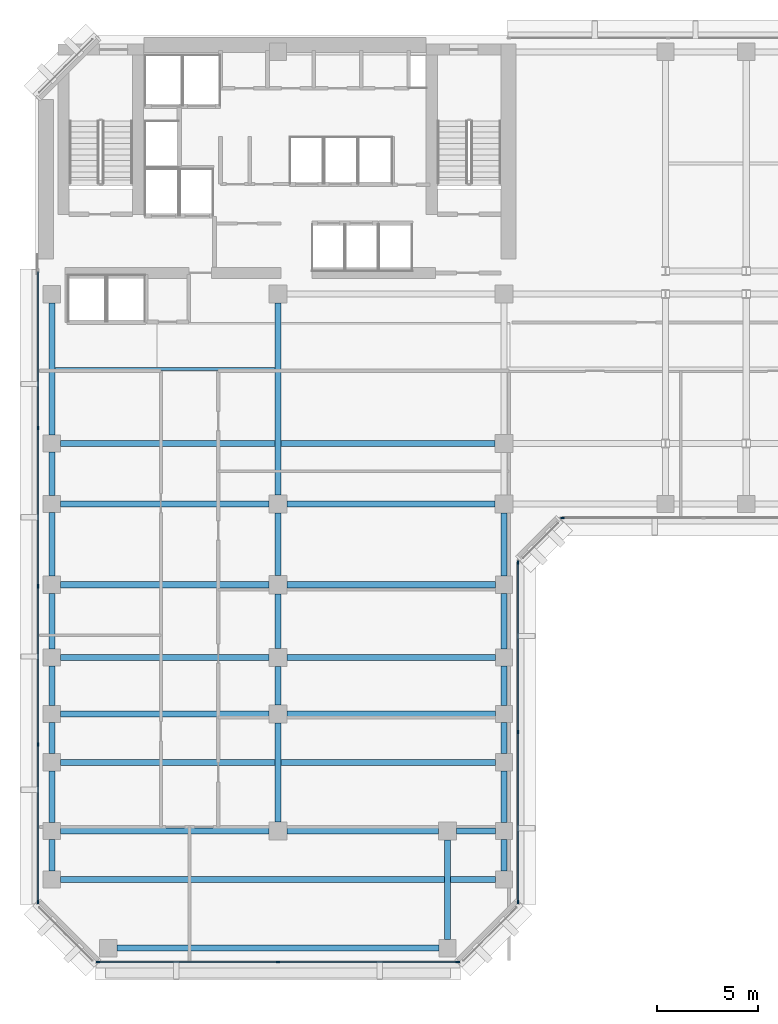
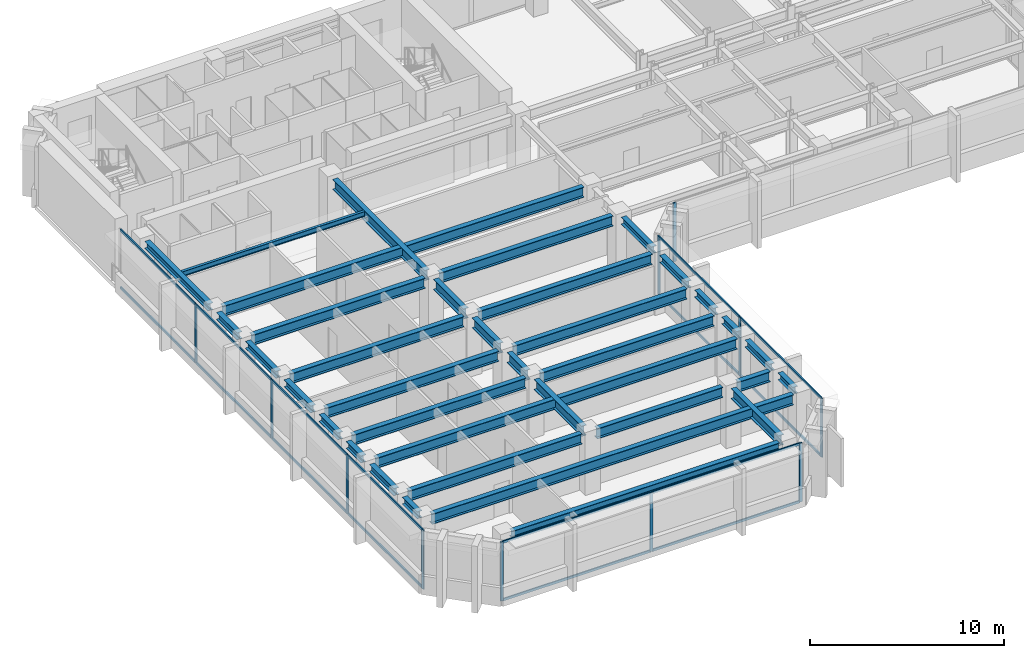
# One storey, part 2 of 11: 36 beams, 27 members, 4 elements without a shape of their own.
"""IFC4 building model written with IfcOpenShell, lengths in metres."""

from ifc_helpers import new_model, si_unit, direction, frame, origin, origin_2d, place, context, subcontext, project, spatial, rectangle, i_section, extrude, material, layer, layer_set, material_profile, profile_set, type_object, element, aggregate, save


model = new_model("IFC4")

# Units and contexts
model_context = context("Model", 3, precision=1e-05, world=origin(), true_north=direction((0.0, 1.0)))
body_context = subcontext(model_context, "Body", "Model", "MODEL_VIEW")
ifc_project = project(units=[si_unit("LENGTHUNIT", "METRE"), si_unit("AREAUNIT", "SQUARE_METRE"), si_unit("VOLUMEUNIT", "CUBIC_METRE"), si_unit("PLANEANGLEUNIT", "RADIAN"), si_unit("MASSUNIT", "GRAM", prefix="KILO")], contexts=[model_context])

# Site, building, storey
site_placement = place(None, origin())
site = spatial("IfcSite", under=ifc_project, at=site_placement, CompositionType="ELEMENT")
building_placement = place(site_placement, origin())
building = spatial("IfcBuilding", under=site, at=building_placement, Name="Kefirva Bronze Tower", CompositionType="ELEMENT")
storey_placement = place(building_placement, frame((0.0, 0.0, 142.889892578125)))
storey = spatial("IfcBuildingStorey", under=building, at=storey_placement, Name="L34", CompositionType="ELEMENT", Elevation=142.889892578125)

# Curtain wall, members
ifc_material_1 = material(Name="Bronze anodised aluminium", Category="aluminium")
ifc_layer = layer(ifc_material_1, 0.199951171875, Name="Bronze anodised aluminium")
ifc_layer_set = layer_set([ifc_layer], Name="Bronze anodised aluminium")
curtain_wall_type = type_object("IfcCurtainWallType", Name="Unitised Bronze Ribbon Curtain Wall Zone 2", PredefinedType="USERDEFINED", material=ifc_layer_set)
curtain_wall_1_placement = place(storey_placement, origin())
curtain_wall_1 = element("IfcCurtainWall", 1, at=curtain_wall_1_placement, inside=storey, type_object=curtain_wall_type, Name="L34 Curtain Wall 1", ObjectType="UNITISED CURTAIN WALL", PredefinedType="USERDEFINED")
ifc_material_profile_1 = material_profile(ifc_material_1, rectangle(XDim=0.074951171875, YDim=0.179931640625, at=origin_2d()), Name="ALU 75x180")
ifc_profile_set_1 = profile_set([ifc_material_profile_1], Name="Bronze anodised aluminium")
member_type_1 = type_object("IfcMemberType", Name="Bronze Mullion 75x180", PredefinedType="MULLION", material=ifc_profile_set_1)
member_1_placement = place(storey_placement, frame((3.092529296875, 0.1201171875, 0.0), z_axis=(0.0, 0.0, 1.0), x_axis=(0.0, 1.0, 0.0)))
member_1 = element("IfcMember", 2, at=member_1_placement, type_object=member_type_1, Name="CW-02 mullion 1", PredefinedType="MULLION", context=body_context, shape_type="SweptSolid", body=[
    extrude(rectangle(XDim=0.074951171875, YDim=0.179931640625, at=origin_2d()), origin(), (0.0, 0.0, 1.0), 3.710205078125),
])
member_2_placement = place(storey_placement, frame((12.0, 0.1201171875, 0.0), z_axis=(0.0, 0.0, 1.0), x_axis=(0.0, 1.0, 0.0)))
member_2 = element("IfcMember", 3, at=member_2_placement, type_object=member_type_1, Name="CW-02 mullion 2", PredefinedType="MULLION", context=body_context, shape_type="SweptSolid", body=[
    extrude(rectangle(XDim=0.074951171875, YDim=0.179931640625, at=origin_2d()), origin(), (0.0, 0.0, 1.0), 3.710205078125),
])
member_3_placement = place(storey_placement, frame((20.907470703125, 0.1201171875, 0.0), z_axis=(0.0, 0.0, 1.0), x_axis=(0.0, 1.0, 0.0)))
member_3 = element("IfcMember", 4, at=member_3_placement, type_object=member_type_1, Name="CW-02 mullion 3", PredefinedType="MULLION", context=body_context, shape_type="SweptSolid", body=[
    extrude(rectangle(XDim=0.074951171875, YDim=0.179931640625, at=origin_2d()), origin(), (0.0, 0.0, 1.0), 3.710205078125),
])

curtain_wall_2_placement = place(storey_placement, origin())
curtain_wall_2 = element("IfcCurtainWall", 5, at=curtain_wall_2_placement, inside=storey, type_object=curtain_wall_type, Name="L34 Curtain Wall 2", ObjectType="UNITISED CURTAIN WALL", PredefinedType="USERDEFINED")
member_4_placement = place(storey_placement, frame((23.8798828125, 3.092529296875, 0.0), z_axis=(0.0, 0.0, 1.0), x_axis=(-1.0, 0.0, 0.0)))
member_4 = element("IfcMember", 6, at=member_4_placement, type_object=member_type_1, Name="CW-02 mullion 1", PredefinedType="MULLION", context=body_context, shape_type="SweptSolid", body=[
    extrude(rectangle(XDim=0.074951171875, YDim=0.179931640625, at=origin_2d()), origin(), (0.0, 0.0, 1.0), 3.710205078125),
])
member_5_placement = place(storey_placement, frame((23.8798828125, 11.5, 0.0), z_axis=(0.0, 0.0, 1.0), x_axis=(-1.0, 0.0, 0.0)))
member_5 = element("IfcMember", 7, at=member_5_placement, type_object=member_type_1, Name="CW-02 mullion 2", PredefinedType="MULLION", context=body_context, shape_type="SweptSolid", body=[
    extrude(rectangle(XDim=0.074951171875, YDim=0.179931640625, at=origin_2d()), origin(), (0.0, 0.0, 1.0), 3.710205078125),
])
member_6_placement = place(storey_placement, frame((23.8798828125, 19.907470703125, 0.0), z_axis=(0.0, 0.0, 1.0), x_axis=(-1.0, 0.0, 0.0)))
member_6 = element("IfcMember", 8, at=member_6_placement, type_object=member_type_1, Name="CW-02 mullion 3", PredefinedType="MULLION", context=body_context, shape_type="SweptSolid", body=[
    extrude(rectangle(XDim=0.074951171875, YDim=0.179931640625, at=origin_2d()), origin(), (0.0, 0.0, 1.0), 3.710205078125),
])

# Curtain wall, member
curtain_wall_3_placement = place(storey_placement, origin())
curtain_wall_3 = element("IfcCurtainWall", 9, at=curtain_wall_3_placement, inside=storey, type_object=curtain_wall_type, Name="L34 Curtain Wall 3", ObjectType="UNITISED CURTAIN WALL", PredefinedType="USERDEFINED")
member_7_placement = place(storey_placement, frame((26.092529296875, 22.1201171875, 0.0), z_axis=(0.0, 0.0, 1.0), x_axis=(0.0, 1.0, 0.0)))
member_7 = element("IfcMember", 10, at=member_7_placement, type_object=member_type_1, Name="CW-02 mullion 1", PredefinedType="MULLION", context=body_context, shape_type="SweptSolid", body=[
    extrude(rectangle(XDim=0.074951171875, YDim=0.179931640625, at=origin_2d()), origin(), (0.0, 0.0, 1.0), 3.710205078125),
])
aggregate(curtain_wall_3, [member_7])

# Curtain wall, members
curtain_wall_4_placement = place(storey_placement, origin())
curtain_wall_4 = element("IfcCurtainWall", 11, at=curtain_wall_4_placement, inside=storey, type_object=curtain_wall_type, Name="L34 Curtain Wall 6", ObjectType="UNITISED CURTAIN WALL", PredefinedType="USERDEFINED")
member_8_placement = place(storey_placement, frame((0.1201171875, 26.56005859375, 0.0), z_axis=(0.0, 0.0, 1.0), x_axis=(1.0, 0.0, 0.0)))
member_8 = element("IfcMember", 12, at=member_8_placement, type_object=member_type_1, Name="CW-02 mullion 2", PredefinedType="MULLION", context=body_context, shape_type="SweptSolid", body=[
    extrude(rectangle(XDim=0.074951171875, YDim=0.179931640625, at=origin_2d()), origin(), (0.0, 0.0, 1.0), 3.710205078125),
])
member_9_placement = place(storey_placement, frame((0.1201171875, 18.72509765625, 0.0), z_axis=(0.0, 0.0, 1.0), x_axis=(1.0, 0.0, 0.0)))
member_9 = element("IfcMember", 13, at=member_9_placement, type_object=member_type_1, Name="CW-02 mullion 3", PredefinedType="MULLION", context=body_context, shape_type="SweptSolid", body=[
    extrude(rectangle(XDim=0.074951171875, YDim=0.179931640625, at=origin_2d()), origin(), (0.0, 0.0, 1.0), 3.710205078125),
])
member_10_placement = place(storey_placement, frame((0.1201171875, 10.889892578125, 0.0), z_axis=(0.0, 0.0, 1.0), x_axis=(1.0, 0.0, 0.0)))
member_10 = element("IfcMember", 14, at=member_10_placement, type_object=member_type_1, Name="CW-02 mullion 4", PredefinedType="MULLION", context=body_context, shape_type="SweptSolid", body=[
    extrude(rectangle(XDim=0.074951171875, YDim=0.179931640625, at=origin_2d()), origin(), (0.0, 0.0, 1.0), 3.710205078125),
])
member_11_placement = place(storey_placement, frame((0.1201171875, 3.092529296875, 0.0), z_axis=(0.0, 0.0, 1.0), x_axis=(1.0, 0.0, 0.0)))
member_11 = element("IfcMember", 15, at=member_11_placement, type_object=member_type_1, Name="CW-02 mullion 5", PredefinedType="MULLION", context=body_context, shape_type="SweptSolid", body=[
    extrude(rectangle(XDim=0.074951171875, YDim=0.179931640625, at=origin_2d()), origin(), (0.0, 0.0, 1.0), 3.710205078125),
])

# Member
ifc_material_profile_2 = material_profile(ifc_material_1, rectangle(XDim=0.074951171875, YDim=0.14990234375, at=origin_2d()), Name="ALU 75x150")
ifc_profile_set_2 = profile_set([ifc_material_profile_2], Name="Bronze anodised aluminium")
member_type_2 = type_object("IfcMemberType", Name="Bronze Transom 75x150", PredefinedType="USERDEFINED", material=ifc_profile_set_2)
member_12_placement = place(storey_placement, frame((3.1298828125, 0.1201171875, 0.03759765625), z_axis=(1.0, 0.0, 0.0), x_axis=(0.0, 1.0, 0.0)))
member_12 = element("IfcMember", 16, at=member_12_placement, type_object=member_type_2, Name="CW-02 transom 1.1", ObjectType="TRANSOM", PredefinedType="USERDEFINED", context=body_context, shape_type="SweptSolid", body=[
    extrude(rectangle(XDim=0.074951171875, YDim=0.14990234375, at=origin_2d()), origin(), (0.0, 0.0, 1.0), 8.83251953125),
])

member_13_placement = place(storey_placement, frame((3.1298828125, 0.1201171875, 3.672607421875), z_axis=(1.0, 0.0, 0.0), x_axis=(0.0, 1.0, 0.0)))
member_13 = element("IfcMember", 17, at=member_13_placement, type_object=member_type_2, Name="CW-02 transom 1.2", ObjectType="TRANSOM", PredefinedType="USERDEFINED", context=body_context, shape_type="SweptSolid", body=[
    extrude(rectangle(XDim=0.074951171875, YDim=0.14990234375, at=origin_2d()), origin(), (0.0, 0.0, 1.0), 8.83251953125),
])

member_14_placement = place(storey_placement, frame((12.03759765625, 0.1201171875, 0.03759765625), z_axis=(1.0, 0.0, 0.0), x_axis=(0.0, 1.0, 0.0)))
member_14 = element("IfcMember", 18, at=member_14_placement, type_object=member_type_2, Name="CW-02 transom 2.1", ObjectType="TRANSOM", PredefinedType="USERDEFINED", context=body_context, shape_type="SweptSolid", body=[
    extrude(rectangle(XDim=0.074951171875, YDim=0.14990234375, at=origin_2d()), origin(), (0.0, 0.0, 1.0), 8.83251953125),
])

member_15_placement = place(storey_placement, frame((12.03759765625, 0.1201171875, 3.672607421875), z_axis=(1.0, 0.0, 0.0), x_axis=(0.0, 1.0, 0.0)))
member_15 = element("IfcMember", 19, at=member_15_placement, type_object=member_type_2, Name="CW-02 transom 2.2", ObjectType="TRANSOM", PredefinedType="USERDEFINED", context=body_context, shape_type="SweptSolid", body=[
    extrude(rectangle(XDim=0.074951171875, YDim=0.14990234375, at=origin_2d()), origin(), (0.0, 0.0, 1.0), 8.83251953125),
])

aggregate(curtain_wall_1, [member_1, member_2, member_3, member_12, member_13, member_14, member_15])

member_16_placement = place(storey_placement, frame((23.8798828125, 3.1298828125, 0.03759765625), z_axis=(0.0, 1.0, 0.0), x_axis=(-1.0, 0.0, 0.0)))
member_16 = element("IfcMember", 20, at=member_16_placement, type_object=member_type_2, Name="CW-02 transom 1.1", ObjectType="TRANSOM", PredefinedType="USERDEFINED", context=body_context, shape_type="SweptSolid", body=[
    extrude(rectangle(XDim=0.074951171875, YDim=0.14990234375, at=origin_2d()), origin(), (0.0, 0.0, 1.0), 8.33251953125),
])

member_17_placement = place(storey_placement, frame((23.8798828125, 3.1298828125, 3.672607421875), z_axis=(0.0, 1.0, 0.0), x_axis=(-1.0, 0.0, 0.0)))
member_17 = element("IfcMember", 21, at=member_17_placement, type_object=member_type_2, Name="CW-02 transom 1.2", ObjectType="TRANSOM", PredefinedType="USERDEFINED", context=body_context, shape_type="SweptSolid", body=[
    extrude(rectangle(XDim=0.074951171875, YDim=0.14990234375, at=origin_2d()), origin(), (0.0, 0.0, 1.0), 8.33251953125),
])

member_18_placement = place(storey_placement, frame((23.8798828125, 11.53759765625, 0.03759765625), z_axis=(0.0, 1.0, 0.0), x_axis=(-1.0, 0.0, 0.0)))
member_18 = element("IfcMember", 22, at=member_18_placement, type_object=member_type_2, Name="CW-02 transom 2.1", ObjectType="TRANSOM", PredefinedType="USERDEFINED", context=body_context, shape_type="SweptSolid", body=[
    extrude(rectangle(XDim=0.074951171875, YDim=0.14990234375, at=origin_2d()), origin(), (0.0, 0.0, 1.0), 8.33251953125),
])

member_19_placement = place(storey_placement, frame((23.8798828125, 11.53759765625, 3.672607421875), z_axis=(0.0, 1.0, 0.0), x_axis=(-1.0, 0.0, 0.0)))
member_19 = element("IfcMember", 23, at=member_19_placement, type_object=member_type_2, Name="CW-02 transom 2.2", ObjectType="TRANSOM", PredefinedType="USERDEFINED", context=body_context, shape_type="SweptSolid", body=[
    extrude(rectangle(XDim=0.074951171875, YDim=0.14990234375, at=origin_2d()), origin(), (0.0, 0.0, 1.0), 8.33251953125),
])

aggregate(curtain_wall_2, [member_4, member_5, member_6, member_16, member_17, member_18, member_19])

member_20_placement = place(storey_placement, frame((0.1201171875, 34.320068359375, 0.03759765625), z_axis=(0.0, -1.0, 0.0), x_axis=(1.0, 0.0, 0.0)))
member_20 = element("IfcMember", 24, at=member_20_placement, type_object=member_type_2, Name="CW-02 transom 1.1", ObjectType="TRANSOM", PredefinedType="USERDEFINED", context=body_context, shape_type="SweptSolid", body=[
    extrude(rectangle(XDim=0.074951171875, YDim=0.14990234375, at=origin_2d()), origin(), (0.0, 0.0, 1.0), 7.72265625),
])

member_21_placement = place(storey_placement, frame((0.1201171875, 34.320068359375, 3.672607421875), z_axis=(0.0, -1.0, 0.0), x_axis=(1.0, 0.0, 0.0)))
member_21 = element("IfcMember", 25, at=member_21_placement, type_object=member_type_2, Name="CW-02 transom 1.2", ObjectType="TRANSOM", PredefinedType="USERDEFINED", context=body_context, shape_type="SweptSolid", body=[
    extrude(rectangle(XDim=0.074951171875, YDim=0.14990234375, at=origin_2d()), origin(), (0.0, 0.0, 1.0), 7.72265625),
])

member_22_placement = place(storey_placement, frame((0.1201171875, 26.5224609375, 0.03759765625), z_axis=(0.0, -1.0, 0.0), x_axis=(1.0, 0.0, 0.0)))
member_22 = element("IfcMember", 26, at=member_22_placement, type_object=member_type_2, Name="CW-02 transom 2.1", ObjectType="TRANSOM", PredefinedType="USERDEFINED", context=body_context, shape_type="SweptSolid", body=[
    extrude(rectangle(XDim=0.074951171875, YDim=0.14990234375, at=origin_2d()), origin(), (0.0, 0.0, 1.0), 7.760009765625),
])

member_23_placement = place(storey_placement, frame((0.1201171875, 26.5224609375, 3.672607421875), z_axis=(0.0, -1.0, 0.0), x_axis=(1.0, 0.0, 0.0)))
member_23 = element("IfcMember", 27, at=member_23_placement, type_object=member_type_2, Name="CW-02 transom 2.2", ObjectType="TRANSOM", PredefinedType="USERDEFINED", context=body_context, shape_type="SweptSolid", body=[
    extrude(rectangle(XDim=0.074951171875, YDim=0.14990234375, at=origin_2d()), origin(), (0.0, 0.0, 1.0), 7.760009765625),
])

member_24_placement = place(storey_placement, frame((0.1201171875, 18.6875, 0.03759765625), z_axis=(0.0, -1.0, 0.0), x_axis=(1.0, 0.0, 0.0)))
member_24 = element("IfcMember", 28, at=member_24_placement, type_object=member_type_2, Name="CW-02 transom 3.1", ObjectType="TRANSOM", PredefinedType="USERDEFINED", context=body_context, shape_type="SweptSolid", body=[
    extrude(rectangle(XDim=0.074951171875, YDim=0.14990234375, at=origin_2d()), origin(), (0.0, 0.0, 1.0), 7.760009765625),
])

member_25_placement = place(storey_placement, frame((0.1201171875, 18.6875, 3.672607421875), z_axis=(0.0, -1.0, 0.0), x_axis=(1.0, 0.0, 0.0)))
member_25 = element("IfcMember", 29, at=member_25_placement, type_object=member_type_2, Name="CW-02 transom 3.2", ObjectType="TRANSOM", PredefinedType="USERDEFINED", context=body_context, shape_type="SweptSolid", body=[
    extrude(rectangle(XDim=0.074951171875, YDim=0.14990234375, at=origin_2d()), origin(), (0.0, 0.0, 1.0), 7.760009765625),
])

member_26_placement = place(storey_placement, frame((0.1201171875, 10.8525390625, 0.03759765625), z_axis=(0.0, -1.0, 0.0), x_axis=(1.0, 0.0, 0.0)))
member_26 = element("IfcMember", 30, at=member_26_placement, type_object=member_type_2, Name="CW-02 transom 4.1", ObjectType="TRANSOM", PredefinedType="USERDEFINED", context=body_context, shape_type="SweptSolid", body=[
    extrude(rectangle(XDim=0.074951171875, YDim=0.14990234375, at=origin_2d()), origin(), (0.0, 0.0, 1.0), 7.72265625),
])

member_27_placement = place(storey_placement, frame((0.1201171875, 10.8525390625, 3.672607421875), z_axis=(0.0, -1.0, 0.0), x_axis=(1.0, 0.0, 0.0)))
member_27 = element("IfcMember", 31, at=member_27_placement, type_object=member_type_2, Name="CW-02 transom 4.2", ObjectType="TRANSOM", PredefinedType="USERDEFINED", context=body_context, shape_type="SweptSolid", body=[
    extrude(rectangle(XDim=0.074951171875, YDim=0.14990234375, at=origin_2d()), origin(), (0.0, 0.0, 1.0), 7.72265625),
])

aggregate(curtain_wall_4, [member_8, member_9, member_10, member_11, member_20, member_21, member_22, member_23, member_24, member_25, member_26, member_27])

# Beams
ifc_material_2 = material(Name="Steel S355", Category="steel")
ifc_material_profile_3 = material_profile(ifc_material_2, i_section(OverallWidth=0.159912109375, OverallDepth=0.330078125, WebThickness=0.007568359375, FlangeThickness=0.011474609375, at=origin_2d()), Name="IPE 330")
ifc_profile_set_3 = profile_set([ifc_material_profile_3], Name="Steel S355")
beam_type_1 = type_object("IfcBeamType", Name="Steel Floor Joist IPE 330", PredefinedType="JOIST", material=ifc_profile_set_3)
beam_1_placement = place(storey_placement, frame((0.949951171875, 29.489990234375, 3.545166015625), z_axis=(1.0, 0.0, 0.0), x_axis=(0.0, 1.0, 0.0)))
element("IfcBeam", 32, at=beam_1_placement, inside=storey, type_object=beam_type_1, Name="L34 JST-L34-0-294", PredefinedType="JOIST", context=body_context, shape_type="SweptSolid", body=[
    extrude(i_section(OverallWidth=0.159912109375, OverallDepth=0.330078125, WebThickness=0.007568359375, FlangeThickness=0.011474609375, at=origin_2d()), origin(), (0.0, 0.0, 1.0), 10.900146484375),
])
ifc_material_profile_4 = material_profile(ifc_material_2, i_section(OverallWidth=0.300048828125, OverallDepth=0.64990234375, WebThickness=0.01611328125, FlangeThickness=0.031005859375, at=origin_2d()), Name="HEB 650")
ifc_profile_set_4 = profile_set([ifc_material_profile_4], Name="Steel S355")
beam_type_2 = type_object("IfcBeamType", Name="Steel Girder HEB 650", PredefinedType="USERDEFINED", material=ifc_profile_set_4)
beam_2_placement = place(storey_placement, frame((1.22998046875, 4.199951171875, 3.385009765625), z_axis=(1.0, 0.0, 0.0), x_axis=(0.0, 1.0, 0.0)))
element("IfcBeam", 33, at=beam_2_placement, inside=storey, type_object=beam_type_2, Name="L34 BM-L34-EW-0-42", ObjectType="GIRDER", PredefinedType="USERDEFINED", context=body_context, shape_type="SweptSolid", body=[
    extrude(i_section(OverallWidth=0.300048828125, OverallDepth=0.64990234375, WebThickness=0.01611328125, FlangeThickness=0.031005859375, at=origin_2d()), origin(), (0.0, 0.0, 1.0), 21.5400390625),
])
beam_3_placement = place(storey_placement, frame((1.22998046875, 6.60009765625, 3.385009765625), z_axis=(1.0, 0.0, 0.0), x_axis=(0.0, 1.0, 0.0)))
element("IfcBeam", 34, at=beam_3_placement, inside=storey, type_object=beam_type_2, Name="L34 BM-L34-EW-0-66", ObjectType="GIRDER", PredefinedType="USERDEFINED", context=body_context, shape_type="SweptSolid", body=[
    extrude(i_section(OverallWidth=0.300048828125, OverallDepth=0.64990234375, WebThickness=0.01611328125, FlangeThickness=0.031005859375, at=origin_2d()), origin(), (0.0, 0.0, 1.0), 10.320068359375),
])
beam_4_placement = place(storey_placement, frame((12.449951171875, 6.60009765625, 3.385009765625), z_axis=(1.0, 0.0, 0.0), x_axis=(0.0, 1.0, 0.0)))
element("IfcBeam", 35, at=beam_4_placement, inside=storey, type_object=beam_type_2, Name="L34 BM-L34-EW-12-66", ObjectType="GIRDER", PredefinedType="USERDEFINED", context=body_context, shape_type="SweptSolid", body=[
    extrude(i_section(OverallWidth=0.300048828125, OverallDepth=0.64990234375, WebThickness=0.01611328125, FlangeThickness=0.031005859375, at=origin_2d()), origin(), (0.0, 0.0, 1.0), 7.5),
])
beam_5_placement = place(storey_placement, frame((20.85009765625, 6.60009765625, 3.385009765625), z_axis=(1.0, 0.0, 0.0), x_axis=(0.0, 1.0, 0.0)))
element("IfcBeam", 36, at=beam_5_placement, inside=storey, type_object=beam_type_2, Name="L34 BM-L34-EW-20-66", ObjectType="GIRDER", PredefinedType="USERDEFINED", context=body_context, shape_type="SweptSolid", body=[
    extrude(i_section(OverallWidth=0.300048828125, OverallDepth=0.64990234375, WebThickness=0.01611328125, FlangeThickness=0.031005859375, at=origin_2d()), origin(), (0.0, 0.0, 1.0), 1.919921875),
])
beam_6_placement = place(storey_placement, frame((1.22998046875, 10.0, 3.385009765625), z_axis=(1.0, 0.0, 0.0), x_axis=(0.0, 1.0, 0.0)))
element("IfcBeam", 37, at=beam_6_placement, inside=storey, type_object=beam_type_2, Name="L34 BM-L34-EW-0-100", ObjectType="GIRDER", PredefinedType="USERDEFINED", context=body_context, shape_type="SweptSolid", body=[
    extrude(i_section(OverallWidth=0.300048828125, OverallDepth=0.64990234375, WebThickness=0.01611328125, FlangeThickness=0.031005859375, at=origin_2d()), origin(), (0.0, 0.0, 1.0), 21.5400390625),
])
for number, where, z_axis, x_axis, name in (
    (38, (1.22998046875, 12.39990234375, 3.385009765625), (1.0, 0.0, 0.0), (0.0, 1.0, 0.0), "L34 BM-L34-EW-0-124"),
    (39, (12.449951171875, 12.39990234375, 3.385009765625), (1.0, 0.0, 0.0), (0.0, 1.0, 0.0), "L34 BM-L34-EW-12-124"),
    (40, (1.22998046875, 15.199951171875, 3.385009765625), (1.0, 0.0, 0.0), (0.0, 1.0, 0.0), "L34 BM-L34-EW-0-152"),
    (41, (12.449951171875, 15.199951171875, 3.385009765625), (1.0, 0.0, 0.0), (0.0, 1.0, 0.0), "L34 BM-L34-EW-12-152"),
    (42, (1.22998046875, 18.800048828125, 3.385009765625), (1.0, 0.0, 0.0), (0.0, 1.0, 0.0), "L34 BM-L34-EW-0-188"),
    (43, (12.449951171875, 18.800048828125, 3.385009765625), (1.0, 0.0, 0.0), (0.0, 1.0, 0.0), "L34 BM-L34-EW-12-188"),
    (44, (1.22998046875, 22.800048828125, 3.385009765625), (1.0, 0.0, 0.0), (0.0, 1.0, 0.0), "L34 BM-L34-EW-0-228"),
):
    element("IfcBeam", number, at=place(storey_placement, frame(where, z_axis=z_axis, x_axis=x_axis)), inside=storey, type_object=beam_type_2, Name=name, ObjectType="GIRDER", PredefinedType="USERDEFINED", context=body_context, shape_type="SweptSolid", body=[
        extrude(i_section(OverallWidth=0.300048828125, OverallDepth=0.64990234375, WebThickness=0.01611328125, FlangeThickness=0.031005859375, at=origin_2d()), origin(), (0.0, 0.0, 1.0), 10.320068359375),
    ])
beam_7_placement = place(storey_placement, frame((12.449951171875, 22.800048828125, 3.385009765625), z_axis=(1.0, 0.0, 0.0), x_axis=(0.0, 1.0, 0.0)))
element("IfcBeam", 45, at=beam_7_placement, inside=storey, type_object=beam_type_2, Name="L34 BM-L34-EW-12-228", ObjectType="GIRDER", PredefinedType="USERDEFINED", context=body_context, shape_type="SweptSolid", body=[
    extrude(i_section(OverallWidth=0.300048828125, OverallDepth=0.64990234375, WebThickness=0.01611328125, FlangeThickness=0.031005859375, at=origin_2d()), origin(), (0.0, 0.0, 1.0), 10.300048828125),
])
beam_8_placement = place(storey_placement, frame((1.22998046875, 25.800048828125, 3.385009765625), z_axis=(1.0, 0.0, 0.0), x_axis=(0.0, 1.0, 0.0)))
element("IfcBeam", 46, at=beam_8_placement, inside=storey, type_object=beam_type_2, Name="L34 BM-L34-EW-0-258", ObjectType="GIRDER", PredefinedType="USERDEFINED", context=body_context, shape_type="SweptSolid", body=[
    extrude(i_section(OverallWidth=0.300048828125, OverallDepth=0.64990234375, WebThickness=0.01611328125, FlangeThickness=0.031005859375, at=origin_2d()), origin(), (0.0, 0.0, 1.0), 21.52001953125),
])
beam_9_placement = place(storey_placement, frame((12.0, 7.050048828125, 3.385009765625), z_axis=(0.0, 1.0, 0.0), x_axis=(-1.0, 0.0, 0.0)))
element("IfcBeam", 47, at=beam_9_placement, inside=storey, type_object=beam_type_2, Name="L34 BM-L34-NS-120-6", ObjectType="GIRDER", PredefinedType="USERDEFINED", context=body_context, shape_type="SweptSolid", body=[
    extrude(i_section(OverallWidth=0.300048828125, OverallDepth=0.64990234375, WebThickness=0.01611328125, FlangeThickness=0.031005859375, at=origin_2d()), origin(), (0.0, 0.0, 1.0), 4.89990234375),
])
beam_10_placement = place(storey_placement, frame((12.0, 12.85009765625, 3.385009765625), z_axis=(0.0, 1.0, 0.0), x_axis=(-1.0, 0.0, 0.0)))
element("IfcBeam", 48, at=beam_10_placement, inside=storey, type_object=beam_type_2, Name="L34 BM-L34-NS-120-12", ObjectType="GIRDER", PredefinedType="USERDEFINED", context=body_context, shape_type="SweptSolid", body=[
    extrude(i_section(OverallWidth=0.300048828125, OverallDepth=0.64990234375, WebThickness=0.01611328125, FlangeThickness=0.031005859375, at=origin_2d()), origin(), (0.0, 0.0, 1.0), 1.89990234375),
])
beam_11_placement = place(storey_placement, frame((12.0, 15.64990234375, 3.385009765625), z_axis=(0.0, 1.0, 0.0), x_axis=(-1.0, 0.0, 0.0)))
element("IfcBeam", 49, at=beam_11_placement, inside=storey, type_object=beam_type_2, Name="L34 BM-L34-NS-120-15", ObjectType="GIRDER", PredefinedType="USERDEFINED", context=body_context, shape_type="SweptSolid", body=[
    extrude(i_section(OverallWidth=0.300048828125, OverallDepth=0.64990234375, WebThickness=0.01611328125, FlangeThickness=0.031005859375, at=origin_2d()), origin(), (0.0, 0.0, 1.0), 2.7001953125),
])
beam_12_placement = place(storey_placement, frame((12.0, 19.25, 3.385009765625), z_axis=(0.0, 1.0, 0.0), x_axis=(-1.0, 0.0, 0.0)))
element("IfcBeam", 50, at=beam_12_placement, inside=storey, type_object=beam_type_2, Name="L34 BM-L34-NS-120-18", ObjectType="GIRDER", PredefinedType="USERDEFINED", context=body_context, shape_type="SweptSolid", body=[
    extrude(i_section(OverallWidth=0.300048828125, OverallDepth=0.64990234375, WebThickness=0.01611328125, FlangeThickness=0.031005859375, at=origin_2d()), origin(), (0.0, 0.0, 1.0), 3.10009765625),
])
beam_13_placement = place(storey_placement, frame((12.0, 23.25, 3.385009765625), z_axis=(0.0, 1.0, 0.0), x_axis=(-1.0, 0.0, 0.0)))
element("IfcBeam", 51, at=beam_13_placement, inside=storey, type_object=beam_type_2, Name="L34 BM-L34-NS-120-22", ObjectType="GIRDER", PredefinedType="USERDEFINED", context=body_context, shape_type="SweptSolid", body=[
    extrude(i_section(OverallWidth=0.300048828125, OverallDepth=0.64990234375, WebThickness=0.01611328125, FlangeThickness=0.031005859375, at=origin_2d()), origin(), (0.0, 0.0, 1.0), 9.5),
])
beam_14_placement = place(storey_placement, frame((20.39990234375, 1.22998046875, 3.385009765625), z_axis=(0.0, 1.0, 0.0), x_axis=(-1.0, 0.0, 0.0)))
element("IfcBeam", 52, at=beam_14_placement, inside=storey, type_object=beam_type_2, Name="L34 BM-L34-NS-204-0", ObjectType="GIRDER", PredefinedType="USERDEFINED", context=body_context, shape_type="SweptSolid", body=[
    extrude(i_section(OverallWidth=0.300048828125, OverallDepth=0.64990234375, WebThickness=0.01611328125, FlangeThickness=0.031005859375, at=origin_2d()), origin(), (0.0, 0.0, 1.0), 4.919921875),
])
ifc_material_profile_5 = material_profile(ifc_material_2, i_section(OverallWidth=0.300048828125, OverallDepth=0.449951171875, WebThickness=0.013916015625, FlangeThickness=0.02587890625, at=origin_2d()), Name="HEB 450")
ifc_profile_set_5 = profile_set([ifc_material_profile_5], Name="Steel S355")
beam_type_3 = type_object("IfcBeamType", Name="Steel Spandrel HEB 450 Ext", PredefinedType="SPANDREL", material=ifc_profile_set_5)
beam_15_placement = place(storey_placement, frame((4.030029296875, 0.800048828125, 3.485107421875), z_axis=(1.0, 0.0, 0.0), x_axis=(0.0, 1.0, 0.0)))
element("IfcBeam", 53, at=beam_15_placement, inside=storey, type_object=beam_type_3, Name="L34 BM-L34-EW-3-8", PredefinedType="SPANDREL", context=body_context, shape_type="SweptSolid", body=[
    extrude(i_section(OverallWidth=0.300048828125, OverallDepth=0.449951171875, WebThickness=0.013916015625, FlangeThickness=0.02587890625, at=origin_2d()), origin(), (0.0, 0.0, 1.0), 15.93994140625),
])
beam_16_placement = place(storey_placement, frame((0.800048828125, 4.6298828125, 3.485107421875), z_axis=(0.0, 1.0, 0.0), x_axis=(-1.0, 0.0, 0.0)))
element("IfcBeam", 54, at=beam_16_placement, inside=storey, type_object=beam_type_3, Name="L34 BM-L34-NS-8-4", PredefinedType="SPANDREL", context=body_context, shape_type="SweptSolid", body=[
    extrude(i_section(OverallWidth=0.300048828125, OverallDepth=0.449951171875, WebThickness=0.013916015625, FlangeThickness=0.02587890625, at=origin_2d()), origin(), (0.0, 0.0, 1.0), 1.5400390625),
])
beam_17_placement = place(storey_placement, frame((0.800048828125, 7.030029296875, 3.485107421875), z_axis=(0.0, 1.0, 0.0), x_axis=(-1.0, 0.0, 0.0)))
element("IfcBeam", 55, at=beam_17_placement, inside=storey, type_object=beam_type_3, Name="L34 BM-L34-NS-8-6", PredefinedType="SPANDREL", context=body_context, shape_type="SweptSolid", body=[
    extrude(i_section(OverallWidth=0.300048828125, OverallDepth=0.449951171875, WebThickness=0.013916015625, FlangeThickness=0.02587890625, at=origin_2d()), origin(), (0.0, 0.0, 1.0), 2.5400390625),
])
beam_18_placement = place(storey_placement, frame((0.800048828125, 10.429931640625, 3.485107421875), z_axis=(0.0, 1.0, 0.0), x_axis=(-1.0, 0.0, 0.0)))
element("IfcBeam", 56, at=beam_18_placement, inside=storey, type_object=beam_type_3, Name="L34 BM-L34-NS-8-10", PredefinedType="SPANDREL", context=body_context, shape_type="SweptSolid", body=[
    extrude(i_section(OverallWidth=0.300048828125, OverallDepth=0.449951171875, WebThickness=0.013916015625, FlangeThickness=0.02587890625, at=origin_2d()), origin(), (0.0, 0.0, 1.0), 1.5400390625),
])
beam_19_placement = place(storey_placement, frame((0.800048828125, 12.830078125, 3.485107421875), z_axis=(0.0, 1.0, 0.0), x_axis=(-1.0, 0.0, 0.0)))
element("IfcBeam", 57, at=beam_19_placement, inside=storey, type_object=beam_type_3, Name="L34 BM-L34-NS-8-12", PredefinedType="SPANDREL", context=body_context, shape_type="SweptSolid", body=[
    extrude(i_section(OverallWidth=0.300048828125, OverallDepth=0.449951171875, WebThickness=0.013916015625, FlangeThickness=0.02587890625, at=origin_2d()), origin(), (0.0, 0.0, 1.0), 1.93994140625),
])
beam_20_placement = place(storey_placement, frame((0.800048828125, 15.6298828125, 3.485107421875), z_axis=(0.0, 1.0, 0.0), x_axis=(-1.0, 0.0, 0.0)))
element("IfcBeam", 58, at=beam_20_placement, inside=storey, type_object=beam_type_3, Name="L34 BM-L34-NS-8-15", PredefinedType="SPANDREL", context=body_context, shape_type="SweptSolid", body=[
    extrude(i_section(OverallWidth=0.300048828125, OverallDepth=0.449951171875, WebThickness=0.013916015625, FlangeThickness=0.02587890625, at=origin_2d()), origin(), (0.0, 0.0, 1.0), 2.740234375),
])
beam_21_placement = place(storey_placement, frame((0.800048828125, 19.22998046875, 3.485107421875), z_axis=(0.0, 1.0, 0.0), x_axis=(-1.0, 0.0, 0.0)))
element("IfcBeam", 59, at=beam_21_placement, inside=storey, type_object=beam_type_3, Name="L34 BM-L34-NS-8-18", PredefinedType="SPANDREL", context=body_context, shape_type="SweptSolid", body=[
    extrude(i_section(OverallWidth=0.300048828125, OverallDepth=0.449951171875, WebThickness=0.013916015625, FlangeThickness=0.02587890625, at=origin_2d()), origin(), (0.0, 0.0, 1.0), 3.14013671875),
])
beam_22_placement = place(storey_placement, frame((0.800048828125, 23.22998046875, 3.485107421875), z_axis=(0.0, 1.0, 0.0), x_axis=(-1.0, 0.0, 0.0)))
element("IfcBeam", 60, at=beam_22_placement, inside=storey, type_object=beam_type_3, Name="L34 BM-L34-NS-8-22", PredefinedType="SPANDREL", context=body_context, shape_type="SweptSolid", body=[
    extrude(i_section(OverallWidth=0.300048828125, OverallDepth=0.449951171875, WebThickness=0.013916015625, FlangeThickness=0.02587890625, at=origin_2d()), origin(), (0.0, 0.0, 1.0), 2.14013671875),
])
beam_23_placement = place(storey_placement, frame((0.800048828125, 26.22998046875, 3.485107421875), z_axis=(0.0, 1.0, 0.0), x_axis=(-1.0, 0.0, 0.0)))
element("IfcBeam", 61, at=beam_23_placement, inside=storey, type_object=beam_type_3, Name="L34 BM-L34-NS-8-25", PredefinedType="SPANDREL", context=body_context, shape_type="SweptSolid", body=[
    extrude(i_section(OverallWidth=0.300048828125, OverallDepth=0.449951171875, WebThickness=0.013916015625, FlangeThickness=0.02587890625, at=origin_2d()), origin(), (0.0, 0.0, 1.0), 6.5400390625),
])
beam_24_placement = place(storey_placement, frame((23.199951171875, 4.6298828125, 3.485107421875), z_axis=(0.0, 1.0, 0.0), x_axis=(-1.0, 0.0, 0.0)))
element("IfcBeam", 62, at=beam_24_placement, inside=storey, type_object=beam_type_3, Name="L34 BM-L34-NS-232-4", PredefinedType="SPANDREL", context=body_context, shape_type="SweptSolid", body=[
    extrude(i_section(OverallWidth=0.300048828125, OverallDepth=0.449951171875, WebThickness=0.013916015625, FlangeThickness=0.02587890625, at=origin_2d()), origin(), (0.0, 0.0, 1.0), 1.5400390625),
])
beam_25_placement = place(storey_placement, frame((23.199951171875, 7.030029296875, 3.485107421875), z_axis=(0.0, 1.0, 0.0), x_axis=(-1.0, 0.0, 0.0)))
element("IfcBeam", 63, at=beam_25_placement, inside=storey, type_object=beam_type_3, Name="L34 BM-L34-NS-232-6", PredefinedType="SPANDREL", context=body_context, shape_type="SweptSolid", body=[
    extrude(i_section(OverallWidth=0.300048828125, OverallDepth=0.449951171875, WebThickness=0.013916015625, FlangeThickness=0.02587890625, at=origin_2d()), origin(), (0.0, 0.0, 1.0), 2.5400390625),
])
beam_26_placement = place(storey_placement, frame((23.199951171875, 10.429931640625, 3.485107421875), z_axis=(0.0, 1.0, 0.0), x_axis=(-1.0, 0.0, 0.0)))
element("IfcBeam", 64, at=beam_26_placement, inside=storey, type_object=beam_type_3, Name="L34 BM-L34-NS-232-10", PredefinedType="SPANDREL", context=body_context, shape_type="SweptSolid", body=[
    extrude(i_section(OverallWidth=0.300048828125, OverallDepth=0.449951171875, WebThickness=0.013916015625, FlangeThickness=0.02587890625, at=origin_2d()), origin(), (0.0, 0.0, 1.0), 1.5400390625),
])
beam_27_placement = place(storey_placement, frame((23.199951171875, 12.830078125, 3.485107421875), z_axis=(0.0, 1.0, 0.0), x_axis=(-1.0, 0.0, 0.0)))
element("IfcBeam", 65, at=beam_27_placement, inside=storey, type_object=beam_type_3, Name="L34 BM-L34-NS-232-12", PredefinedType="SPANDREL", context=body_context, shape_type="SweptSolid", body=[
    extrude(i_section(OverallWidth=0.300048828125, OverallDepth=0.449951171875, WebThickness=0.013916015625, FlangeThickness=0.02587890625, at=origin_2d()), origin(), (0.0, 0.0, 1.0), 1.93994140625),
])
beam_28_placement = place(storey_placement, frame((23.199951171875, 15.6298828125, 3.485107421875), z_axis=(0.0, 1.0, 0.0), x_axis=(-1.0, 0.0, 0.0)))
element("IfcBeam", 66, at=beam_28_placement, inside=storey, type_object=beam_type_3, Name="L34 BM-L34-NS-232-15", PredefinedType="SPANDREL", context=body_context, shape_type="SweptSolid", body=[
    extrude(i_section(OverallWidth=0.300048828125, OverallDepth=0.449951171875, WebThickness=0.013916015625, FlangeThickness=0.02587890625, at=origin_2d()), origin(), (0.0, 0.0, 1.0), 2.740234375),
])
beam_29_placement = place(storey_placement, frame((23.199951171875, 19.22998046875, 3.485107421875), z_axis=(0.0, 1.0, 0.0), x_axis=(-1.0, 0.0, 0.0)))
element("IfcBeam", 67, at=beam_29_placement, inside=storey, type_object=beam_type_3, Name="L34 BM-L34-NS-232-18", PredefinedType="SPANDREL", context=body_context, shape_type="SweptSolid", body=[
    extrude(i_section(OverallWidth=0.300048828125, OverallDepth=0.449951171875, WebThickness=0.013916015625, FlangeThickness=0.02587890625, at=origin_2d()), origin(), (0.0, 0.0, 1.0), 3.1201171875),
])

save(model, "model.ifc")
